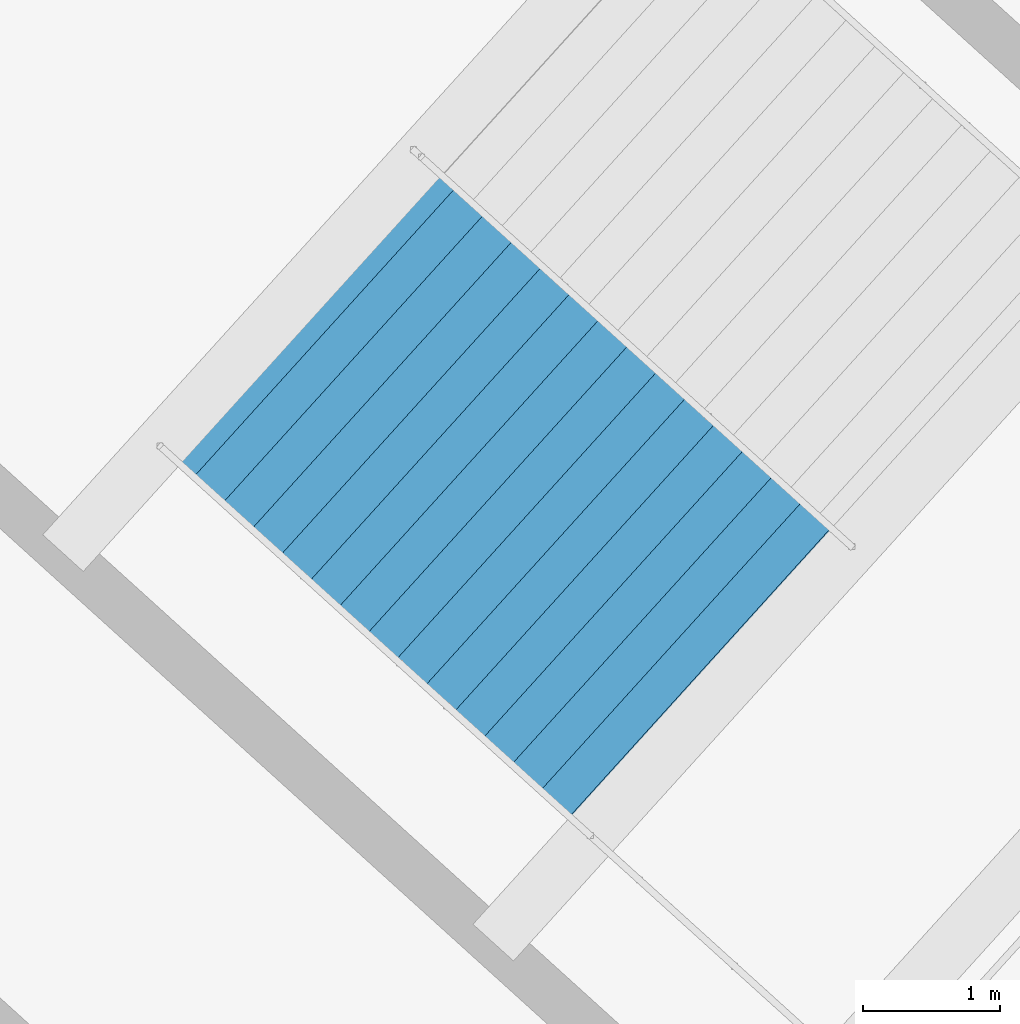
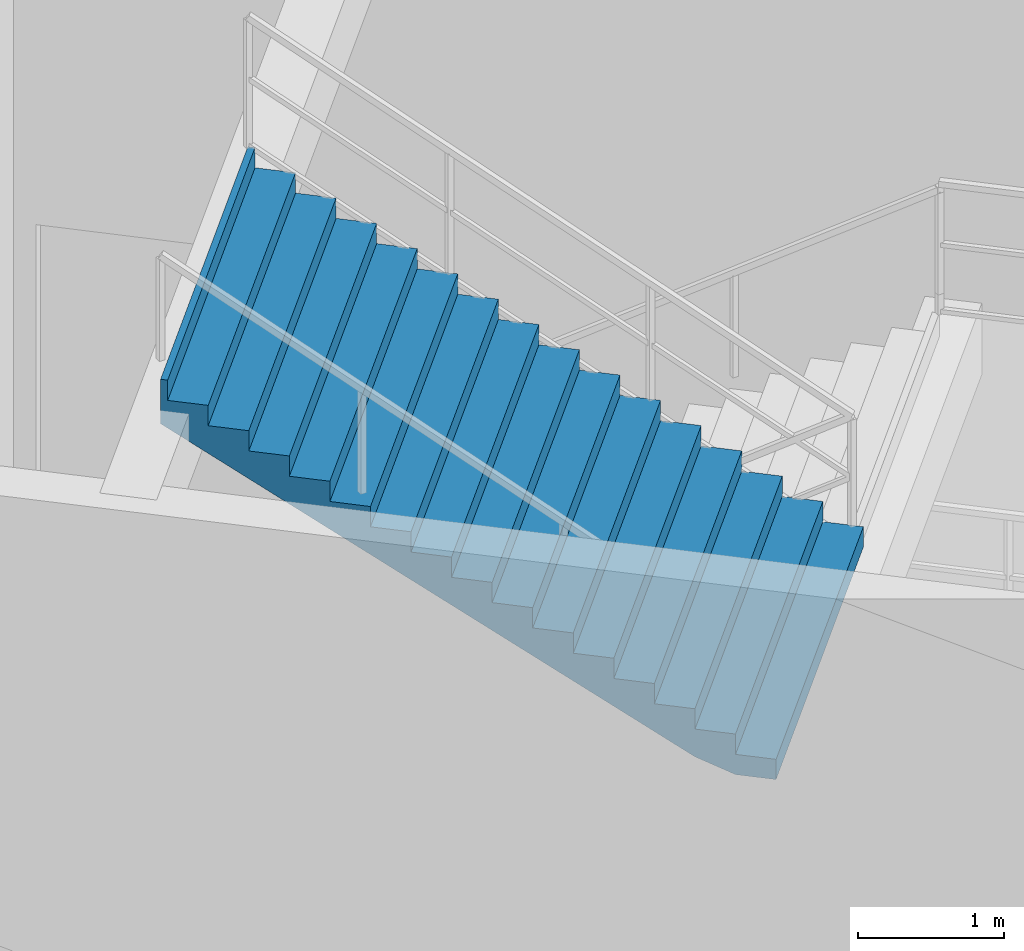
# One storey, part 79 of 103: 1 stair flight, 1 element without a shape of its own.
"""IFC4 building model written with IfcOpenShell, lengths in metres."""

from ifc_helpers import new_model, si_unit, direction, frame, origin, place, context, subcontext, project, spatial, polygons, material, type_object, element, aggregate, save


model = new_model("IFC4")

# Units and contexts
model_context = context("Model", 3, precision=1e-05, world=origin(), true_north=direction((0.0, 1.0)))
body_context = subcontext(model_context, "Body", "Model", "MODEL_VIEW")
ifc_project = project(units=[si_unit("LENGTHUNIT", "METRE"), si_unit("AREAUNIT", "SQUARE_METRE"), si_unit("VOLUMEUNIT", "CUBIC_METRE"), si_unit("PLANEANGLEUNIT", "RADIAN"), si_unit("MASSUNIT", "GRAM", prefix="KILO")], contexts=[model_context])

# Site, building, storey
site_placement = place(None, origin())
site = spatial("IfcSite", under=ifc_project, at=site_placement, CompositionType="ELEMENT")
building_placement = place(site_placement, origin())
building = spatial("IfcBuilding", under=site, at=building_placement, Name="Kazemori Nagisa Stadium", CompositionType="ELEMENT")
storey_placement = place(building_placement, frame((0.0, 0.0, 25.840087890625)))
storey = spatial("IfcBuildingStorey", under=building, at=storey_placement, Name="L05", CompositionType="ELEMENT", Elevation=25.840087890625)

# Stair, stair flight
ifc_material = material(Name="Concrete C36/45 (Fc36)", Category="concrete")
stair_type = type_object("IfcStairType", Name="Stair_CORE_32", PredefinedType="TWO_STRAIGHT_RUN_STAIR", material=ifc_material)
stair_placement = place(storey_placement, origin())
stair = element("IfcStair", 1, at=stair_placement, inside=storey, type_object=stair_type, Name="Exit stair ST03 L05", PredefinedType="TWO_STRAIGHT_RUN_STAIR")
stair_flight_type = type_object("IfcStairFlightType", Name="Flight_CORE_16", PredefinedType="STRAIGHT", material=ifc_material)
stair_flight_placement = place(storey_placement, frame((55.4609375, 42.593994140625, 2.719970703125), z_axis=(0.0, 0.0, 1.0), x_axis=(-0.741357156534, 0.671110696127, 0.0)))
stair_flight = element("IfcStairFlight", 2, at=stair_flight_placement, type_object=stair_flight_type, Name="Exit stair ST03 L05 flight 2", NumberOfRisers=16, NumberOfTreads=15, PredefinedType="STRAIGHT", RiserHeight=0.17, TreadLength=0.285, context=body_context, shape_type="Tessellation", body=[
    polygons([(0.0, -1.425048828125, 0.0), (0.0, -1.425048828125, 0.169921875), (0.284912109375, -1.425048828125, 0.169921875), (0.284912109375, -1.425048828125, 0.340087890625), (0.570068359375, -1.425048828125, 0.340087890625), (0.570068359375, -1.425048828125, 0.510009765625), (0.85498046875, -1.425048828125, 0.510009765625), (0.85498046875, -1.425048828125, 0.679931640625), (1.139892578125, -1.425048828125, 0.679931640625), (1.139892578125, -1.425048828125, 0.85009765625), (1.425048828125, -1.425048828125, 0.85009765625), (1.425048828125, -1.425048828125, 1.02001953125), (1.7099609375, -1.425048828125, 1.02001953125), (1.7099609375, -1.425048828125, 1.18994140625), (1.9951171875, -1.425048828125, 1.18994140625), (1.9951171875, -1.425048828125, 1.360107421875), (2.280029296875, -1.425048828125, 1.360107421875), (2.280029296875, -1.425048828125, 1.530029296875), (2.56494140625, -1.425048828125, 1.530029296875), (2.56494140625, -1.425048828125, 1.699951171875), (2.85009765625, -1.425048828125, 1.699951171875), (2.85009765625, -1.425048828125, 1.8701171875), (3.135009765625, -1.425048828125, 1.8701171875), (3.135009765625, -1.425048828125, 2.0400390625), (3.419921875, -1.425048828125, 2.0400390625), (3.419921875, -1.425048828125, 2.2099609375), (3.705078125, -1.425048828125, 2.2099609375), (3.705078125, -1.425048828125, 2.3798828125), (3.989990234375, -1.425048828125, 2.3798828125), (3.989990234375, -1.425048828125, 2.550048828125), (4.27490234375, -1.425048828125, 2.550048828125), (4.27490234375, -1.425048828125, 2.719970703125), (4.324951171875, -1.425048828125, 2.719970703125), (4.324951171875, -1.425048828125, 2.346923828125), (4.27490234375, -1.425048828125, 2.317138671875), (3.989990234375, -1.425048828125, 2.147216796875), (3.705078125, -1.425048828125, 1.977294921875), (3.419921875, -1.425048828125, 1.80712890625), (3.135009765625, -1.425048828125, 1.63720703125), (2.85009765625, -1.425048828125, 1.46728515625), (2.56494140625, -1.425048828125, 1.297119140625), (2.280029296875, -1.425048828125, 1.127197265625), (1.9951171875, -1.425048828125, 0.957275390625), (1.7099609375, -1.425048828125, 0.787109375), (1.425048828125, -1.425048828125, 0.6171875), (1.139892578125, -1.425048828125, 0.447265625), (0.85498046875, -1.425048828125, 0.277099609375), (0.570068359375, -1.425048828125, 0.107177734375), (0.284912109375, -1.425048828125, 0.0), (0.0, -0.08544921875, 0.0), (0.0, -0.08544921875, 0.169921875), (0.284912109375, -0.08544921875, 0.169921875), (0.284912109375, -0.08544921875, 0.340087890625), (0.570068359375, -0.08544921875, 0.340087890625), (0.570068359375, -0.08544921875, 0.510009765625), (0.85498046875, -0.08544921875, 0.510009765625), (0.85498046875, -0.08544921875, 0.679931640625), (1.139892578125, -0.08544921875, 0.679931640625), (1.139892578125, -0.08544921875, 0.85009765625), (1.425048828125, -0.08544921875, 0.85009765625), (1.425048828125, -0.08544921875, 1.02001953125), (1.7099609375, -0.08544921875, 1.02001953125), (1.7099609375, -0.08544921875, 1.18994140625), (1.9951171875, -0.08544921875, 1.18994140625), (1.9951171875, -0.08544921875, 1.360107421875), (2.280029296875, -0.08544921875, 1.360107421875), (2.280029296875, -0.08544921875, 1.530029296875), (2.56494140625, -0.08544921875, 1.530029296875), (2.56494140625, -0.08544921875, 1.699951171875), (2.85009765625, -0.08544921875, 1.699951171875), (2.85009765625, -0.08544921875, 1.8701171875), (3.135009765625, -0.08544921875, 1.8701171875), (3.135009765625, -0.08544921875, 2.0400390625), (3.419921875, -0.08544921875, 2.0400390625), (3.419921875, -0.08544921875, 2.2099609375), (3.705078125, -0.08544921875, 2.2099609375), (3.705078125, -0.08544921875, 2.3798828125), (3.989990234375, -0.08544921875, 2.3798828125), (3.989990234375, -0.08544921875, 2.550048828125), (4.27490234375, -0.08544921875, 2.550048828125), (4.27490234375, -0.08544921875, 2.719970703125), (4.324951171875, -0.08544921875, 2.719970703125), (4.324951171875, -0.08544921875, 2.346923828125), (4.27490234375, -0.08544921875, 2.317138671875), (3.989990234375, -0.08544921875, 2.147216796875), (3.705078125, -0.08544921875, 1.977294921875), (3.419921875, -0.08544921875, 1.80712890625), (3.135009765625, -0.08544921875, 1.63720703125), (2.85009765625, -0.08544921875, 1.46728515625), (2.56494140625, -0.08544921875, 1.297119140625), (2.280029296875, -0.08544921875, 1.127197265625), (1.9951171875, -0.08544921875, 0.957275390625), (1.7099609375, -0.08544921875, 0.787109375), (1.425048828125, -0.08544921875, 0.6171875), (1.139892578125, -0.08544921875, 0.447265625), (0.85498046875, -0.08544921875, 0.277099609375), (0.570068359375, -0.08544921875, 0.107177734375), (0.284912109375, -0.08544921875, 0.0), (0.0, 0.0, 0.0), (0.0, 0.0, 0.169921875), (0.284912109375, 0.0, 0.169921875), (0.284912109375, 0.0, 0.340087890625), (0.570068359375, 0.0, 0.340087890625), (0.570068359375, 0.0, 0.510009765625), (0.85498046875, 0.0, 0.510009765625), (0.85498046875, 0.0, 0.679931640625), (1.139892578125, 0.0, 0.679931640625), (1.139892578125, 0.0, 0.85009765625), (1.425048828125, 0.0, 0.85009765625), (1.425048828125, 0.0, 1.02001953125), (1.7099609375, 0.0, 1.02001953125), (1.7099609375, 0.0, 1.18994140625), (1.9951171875, 0.0, 1.18994140625), (1.9951171875, 0.0, 1.360107421875), (2.280029296875, 0.0, 1.360107421875), (2.280029296875, 0.0, 1.530029296875), (2.56494140625, 0.0, 1.530029296875), (2.56494140625, 0.0, 1.699951171875), (2.85009765625, 0.0, 1.699951171875), (2.85009765625, 0.0, 1.8701171875), (3.135009765625, 0.0, 1.8701171875), (3.135009765625, 0.0, 2.0400390625), (3.419921875, 0.0, 2.0400390625), (3.419921875, 0.0, 2.2099609375), (3.705078125, 0.0, 2.2099609375), (3.705078125, 0.0, 2.3798828125), (3.989990234375, 0.0, 2.3798828125), (3.989990234375, 0.0, 2.550048828125), (4.27490234375, 0.0, 2.550048828125), (4.27490234375, 0.0, 2.719970703125), (4.324951171875, 0.0, 2.719970703125), (4.324951171875, 0.0, 2.346923828125), (4.27490234375, 0.0, 2.317138671875), (3.989990234375, 0.0, 2.147216796875), (3.705078125, 0.0, 1.977294921875), (3.419921875, 0.0, 1.80712890625), (3.135009765625, 0.0, 1.63720703125), (2.85009765625, 0.0, 1.46728515625), (2.56494140625, 0.0, 1.297119140625), (2.280029296875, 0.0, 1.127197265625), (1.9951171875, 0.0, 0.957275390625), (1.7099609375, 0.0, 0.787109375), (1.425048828125, 0.0, 0.6171875), (1.139892578125, 0.0, 0.447265625), (0.85498046875, 0.0, 0.277099609375), (0.570068359375, 0.0, 0.107177734375), (0.284912109375, 0.0, 0.0), (0.0, 0.08544921875, 0.0), (0.0, 0.08544921875, 0.169921875), (0.284912109375, 0.08544921875, 0.169921875), (0.284912109375, 0.08544921875, 0.340087890625), (0.570068359375, 0.08544921875, 0.340087890625), (0.570068359375, 0.08544921875, 0.510009765625), (0.85498046875, 0.08544921875, 0.510009765625), (0.85498046875, 0.08544921875, 0.679931640625), (1.139892578125, 0.08544921875, 0.679931640625), (1.139892578125, 0.08544921875, 0.85009765625), (1.425048828125, 0.08544921875, 0.85009765625), (1.425048828125, 0.08544921875, 1.02001953125), (1.7099609375, 0.08544921875, 1.02001953125), (1.7099609375, 0.08544921875, 1.18994140625), (1.9951171875, 0.08544921875, 1.18994140625), (1.9951171875, 0.08544921875, 1.360107421875), (2.280029296875, 0.08544921875, 1.360107421875), (2.280029296875, 0.08544921875, 1.530029296875), (2.56494140625, 0.08544921875, 1.530029296875), (2.56494140625, 0.08544921875, 1.699951171875), (2.85009765625, 0.08544921875, 1.699951171875), (2.85009765625, 0.08544921875, 1.8701171875), (3.135009765625, 0.08544921875, 1.8701171875), (3.135009765625, 0.08544921875, 2.0400390625), (3.419921875, 0.08544921875, 2.0400390625), (3.419921875, 0.08544921875, 2.2099609375), (3.705078125, 0.08544921875, 2.2099609375), (3.705078125, 0.08544921875, 2.3798828125), (3.989990234375, 0.08544921875, 2.3798828125), (3.989990234375, 0.08544921875, 2.550048828125), (4.27490234375, 0.08544921875, 2.550048828125), (4.27490234375, 0.08544921875, 2.719970703125), (4.324951171875, 0.08544921875, 2.719970703125), (4.324951171875, 0.08544921875, 2.346923828125), (4.27490234375, 0.08544921875, 2.317138671875), (3.989990234375, 0.08544921875, 2.147216796875), (3.705078125, 0.08544921875, 1.977294921875), (3.419921875, 0.08544921875, 1.80712890625), (3.135009765625, 0.08544921875, 1.63720703125), (2.85009765625, 0.08544921875, 1.46728515625), (2.56494140625, 0.08544921875, 1.297119140625), (2.280029296875, 0.08544921875, 1.127197265625), (1.9951171875, 0.08544921875, 0.957275390625), (1.7099609375, 0.08544921875, 0.787109375), (1.425048828125, 0.08544921875, 0.6171875), (1.139892578125, 0.08544921875, 0.447265625), (0.85498046875, 0.08544921875, 0.277099609375), (0.570068359375, 0.08544921875, 0.107177734375), (0.284912109375, 0.08544921875, 0.0), (0.0, 1.425048828125, 0.0), (0.0, 1.425048828125, 0.169921875), (0.284912109375, 1.425048828125, 0.169921875), (0.284912109375, 1.425048828125, 0.340087890625), (0.570068359375, 1.425048828125, 0.340087890625), (0.570068359375, 1.425048828125, 0.510009765625), (0.85498046875, 1.425048828125, 0.510009765625), (0.85498046875, 1.425048828125, 0.679931640625), (1.139892578125, 1.425048828125, 0.679931640625), (1.139892578125, 1.425048828125, 0.85009765625), (1.425048828125, 1.425048828125, 0.85009765625), (1.425048828125, 1.425048828125, 1.02001953125), (1.7099609375, 1.425048828125, 1.02001953125), (1.7099609375, 1.425048828125, 1.18994140625), (1.9951171875, 1.425048828125, 1.18994140625), (1.9951171875, 1.425048828125, 1.360107421875), (2.280029296875, 1.425048828125, 1.360107421875), (2.280029296875, 1.425048828125, 1.530029296875), (2.56494140625, 1.425048828125, 1.530029296875), (2.56494140625, 1.425048828125, 1.699951171875), (2.85009765625, 1.425048828125, 1.699951171875), (2.85009765625, 1.425048828125, 1.8701171875), (3.135009765625, 1.425048828125, 1.8701171875), (3.135009765625, 1.425048828125, 2.0400390625), (3.419921875, 1.425048828125, 2.0400390625), (3.419921875, 1.425048828125, 2.2099609375), (3.705078125, 1.425048828125, 2.2099609375), (3.705078125, 1.425048828125, 2.3798828125), (3.989990234375, 1.425048828125, 2.3798828125), (3.989990234375, 1.425048828125, 2.550048828125), (4.27490234375, 1.425048828125, 2.550048828125), (4.27490234375, 1.425048828125, 2.719970703125), (4.324951171875, 1.425048828125, 2.719970703125), (4.324951171875, 1.425048828125, 2.346923828125), (4.27490234375, 1.425048828125, 2.317138671875), (3.989990234375, 1.425048828125, 2.147216796875), (3.705078125, 1.425048828125, 1.977294921875), (3.419921875, 1.425048828125, 1.80712890625), (3.135009765625, 1.425048828125, 1.63720703125), (2.85009765625, 1.425048828125, 1.46728515625), (2.56494140625, 1.425048828125, 1.297119140625), (2.280029296875, 1.425048828125, 1.127197265625), (1.9951171875, 1.425048828125, 0.957275390625), (1.7099609375, 1.425048828125, 0.787109375), (1.425048828125, 1.425048828125, 0.6171875), (1.139892578125, 1.425048828125, 0.447265625), (0.85498046875, 1.425048828125, 0.277099609375), (0.570068359375, 1.425048828125, 0.107177734375), (0.284912109375, 1.425048828125, 0.0)], [[[1, 2, 51]], [[1, 51, 50]], [[2, 3, 52]], [[2, 52, 51]], [[3, 4, 53]], [[3, 53, 52]], [[4, 5, 54]], [[4, 54, 53]], [[5, 6, 55]], [[5, 55, 54]], [[6, 7, 56]], [[6, 56, 55]], [[7, 8, 57]], [[7, 57, 56]], [[8, 9, 58]], [[8, 58, 57]], [[9, 10, 59]], [[9, 59, 58]], [[10, 11, 60]], [[10, 60, 59]], [[11, 12, 61]], [[11, 61, 60]], [[12, 13, 62]], [[12, 62, 61]], [[13, 14, 63]], [[13, 63, 62]], [[14, 15, 64]], [[14, 64, 63]], [[15, 16, 65]], [[15, 65, 64]], [[16, 17, 66]], [[16, 66, 65]], [[17, 18, 67]], [[17, 67, 66]], [[18, 19, 68]], [[18, 68, 67]], [[19, 20, 69]], [[19, 69, 68]], [[20, 21, 70]], [[20, 70, 69]], [[21, 22, 71]], [[21, 71, 70]], [[22, 23, 72]], [[22, 72, 71]], [[23, 24, 73]], [[23, 73, 72]], [[24, 25, 74]], [[24, 74, 73]], [[25, 26, 75]], [[25, 75, 74]], [[26, 27, 76]], [[26, 76, 75]], [[27, 28, 77]], [[27, 77, 76]], [[28, 29, 78]], [[28, 78, 77]], [[29, 30, 79]], [[29, 79, 78]], [[30, 31, 80]], [[30, 80, 79]], [[31, 32, 81]], [[31, 81, 80]], [[32, 33, 82]], [[32, 82, 81]], [[33, 34, 83]], [[33, 83, 82]], [[34, 35, 84]], [[34, 84, 83]], [[35, 36, 85]], [[35, 85, 84]], [[36, 37, 86]], [[36, 86, 85]], [[37, 38, 87]], [[37, 87, 86]], [[38, 39, 88]], [[38, 88, 87]], [[39, 40, 89]], [[39, 89, 88]], [[40, 41, 90]], [[40, 90, 89]], [[41, 42, 91]], [[41, 91, 90]], [[42, 43, 92]], [[42, 92, 91]], [[43, 44, 93]], [[43, 93, 92]], [[44, 45, 94]], [[44, 94, 93]], [[45, 46, 95]], [[45, 95, 94]], [[46, 47, 96]], [[46, 96, 95]], [[47, 48, 97]], [[47, 97, 96]], [[48, 49, 98]], [[48, 98, 97]], [[49, 1, 50]], [[49, 50, 98]], [[50, 51, 100]], [[50, 100, 99]], [[51, 52, 101]], [[51, 101, 100]], [[52, 53, 102]], [[52, 102, 101]], [[53, 54, 103]], [[53, 103, 102]], [[54, 55, 104]], [[54, 104, 103]], [[55, 56, 105]], [[55, 105, 104]], [[56, 57, 106]], [[56, 106, 105]], [[57, 58, 107]], [[57, 107, 106]], [[58, 59, 108]], [[58, 108, 107]], [[59, 60, 109]], [[59, 109, 108]], [[60, 61, 110]], [[60, 110, 109]], [[61, 62, 111]], [[61, 111, 110]], [[62, 63, 112]], [[62, 112, 111]], [[63, 64, 113]], [[63, 113, 112]], [[64, 65, 114]], [[64, 114, 113]], [[65, 66, 115]], [[65, 115, 114]], [[66, 67, 116]], [[66, 116, 115]], [[67, 68, 117]], [[67, 117, 116]], [[68, 69, 118]], [[68, 118, 117]], [[69, 70, 119]], [[69, 119, 118]], [[70, 71, 120]], [[70, 120, 119]], [[71, 72, 121]], [[71, 121, 120]], [[72, 73, 122]], [[72, 122, 121]], [[73, 74, 123]], [[73, 123, 122]], [[74, 75, 124]], [[74, 124, 123]], [[75, 76, 125]], [[75, 125, 124]], [[76, 77, 126]], [[76, 126, 125]], [[77, 78, 127]], [[77, 127, 126]], [[78, 79, 128]], [[78, 128, 127]], [[79, 80, 129]], [[79, 129, 128]], [[80, 81, 130]], [[80, 130, 129]], [[81, 82, 131]], [[81, 131, 130]], [[82, 83, 132]], [[82, 132, 131]], [[83, 84, 133]], [[83, 133, 132]], [[84, 85, 134]], [[84, 134, 133]], [[85, 86, 135]], [[85, 135, 134]], [[86, 87, 136]], [[86, 136, 135]], [[87, 88, 137]], [[87, 137, 136]], [[88, 89, 138]], [[88, 138, 137]], [[89, 90, 139]], [[89, 139, 138]], [[90, 91, 140]], [[90, 140, 139]], [[91, 92, 141]], [[91, 141, 140]], [[92, 93, 142]], [[92, 142, 141]], [[93, 94, 143]], [[93, 143, 142]], [[94, 95, 144]], [[94, 144, 143]], [[95, 96, 145]], [[95, 145, 144]], [[96, 97, 146]], [[96, 146, 145]], [[97, 98, 147]], [[97, 147, 146]], [[98, 50, 99]], [[98, 99, 147]], [[99, 100, 149]], [[99, 149, 148]], [[100, 101, 150]], [[100, 150, 149]], [[101, 102, 151]], [[101, 151, 150]], [[102, 103, 152]], [[102, 152, 151]], [[103, 104, 153]], [[103, 153, 152]], [[104, 105, 154]], [[104, 154, 153]], [[105, 106, 155]], [[105, 155, 154]], [[106, 107, 156]], [[106, 156, 155]], [[107, 108, 157]], [[107, 157, 156]], [[108, 109, 158]], [[108, 158, 157]], [[109, 110, 159]], [[109, 159, 158]], [[110, 111, 160]], [[110, 160, 159]], [[111, 112, 161]], [[111, 161, 160]], [[112, 113, 162]], [[112, 162, 161]], [[113, 114, 163]], [[113, 163, 162]], [[114, 115, 164]], [[114, 164, 163]], [[115, 116, 165]], [[115, 165, 164]], [[116, 117, 166]], [[116, 166, 165]], [[117, 118, 167]], [[117, 167, 166]], [[118, 119, 168]], [[118, 168, 167]], [[119, 120, 169]], [[119, 169, 168]], [[120, 121, 170]], [[120, 170, 169]], [[121, 122, 171]], [[121, 171, 170]], [[122, 123, 172]], [[122, 172, 171]], [[123, 124, 173]], [[123, 173, 172]], [[124, 125, 174]], [[124, 174, 173]], [[125, 126, 175]], [[125, 175, 174]], [[126, 127, 176]], [[126, 176, 175]], [[127, 128, 177]], [[127, 177, 176]], [[128, 129, 178]], [[128, 178, 177]], [[129, 130, 179]], [[129, 179, 178]], [[130, 131, 180]], [[130, 180, 179]], [[131, 132, 181]], [[131, 181, 180]], [[132, 133, 182]], [[132, 182, 181]], [[133, 134, 183]], [[133, 183, 182]], [[134, 135, 184]], [[134, 184, 183]], [[135, 136, 185]], [[135, 185, 184]], [[136, 137, 186]], [[136, 186, 185]], [[137, 138, 187]], [[137, 187, 186]], [[138, 139, 188]], [[138, 188, 187]], [[139, 140, 189]], [[139, 189, 188]], [[140, 141, 190]], [[140, 190, 189]], [[141, 142, 191]], [[141, 191, 190]], [[142, 143, 192]], [[142, 192, 191]], [[143, 144, 193]], [[143, 193, 192]], [[144, 145, 194]], [[144, 194, 193]], [[145, 146, 195]], [[145, 195, 194]], [[146, 147, 196]], [[146, 196, 195]], [[147, 99, 148]], [[147, 148, 196]], [[148, 149, 198]], [[148, 198, 197]], [[149, 150, 199]], [[149, 199, 198]], [[150, 151, 200]], [[150, 200, 199]], [[151, 152, 201]], [[151, 201, 200]], [[152, 153, 202]], [[152, 202, 201]], [[153, 154, 203]], [[153, 203, 202]], [[154, 155, 204]], [[154, 204, 203]], [[155, 156, 205]], [[155, 205, 204]], [[156, 157, 206]], [[156, 206, 205]], [[157, 158, 207]], [[157, 207, 206]], [[158, 159, 208]], [[158, 208, 207]], [[159, 160, 209]], [[159, 209, 208]], [[160, 161, 210]], [[160, 210, 209]], [[161, 162, 211]], [[161, 211, 210]], [[162, 163, 212]], [[162, 212, 211]], [[163, 164, 213]], [[163, 213, 212]], [[164, 165, 214]], [[164, 214, 213]], [[165, 166, 215]], [[165, 215, 214]], [[166, 167, 216]], [[166, 216, 215]], [[167, 168, 217]], [[167, 217, 216]], [[168, 169, 218]], [[168, 218, 217]], [[169, 170, 219]], [[169, 219, 218]], [[170, 171, 220]], [[170, 220, 219]], [[171, 172, 221]], [[171, 221, 220]], [[172, 173, 222]], [[172, 222, 221]], [[173, 174, 223]], [[173, 223, 222]], [[174, 175, 224]], [[174, 224, 223]], [[175, 176, 225]], [[175, 225, 224]], [[176, 177, 226]], [[176, 226, 225]], [[177, 178, 227]], [[177, 227, 226]], [[178, 179, 228]], [[178, 228, 227]], [[179, 180, 229]], [[179, 229, 228]], [[180, 181, 230]], [[180, 230, 229]], [[181, 182, 231]], [[181, 231, 230]], [[182, 183, 232]], [[182, 232, 231]], [[183, 184, 233]], [[183, 233, 232]], [[184, 185, 234]], [[184, 234, 233]], [[185, 186, 235]], [[185, 235, 234]], [[186, 187, 236]], [[186, 236, 235]], [[187, 188, 237]], [[187, 237, 236]], [[188, 189, 238]], [[188, 238, 237]], [[189, 190, 239]], [[189, 239, 238]], [[190, 191, 240]], [[190, 240, 239]], [[191, 192, 241]], [[191, 241, 240]], [[192, 193, 242]], [[192, 242, 241]], [[193, 194, 243]], [[193, 243, 242]], [[194, 195, 244]], [[194, 244, 243]], [[195, 196, 245]], [[195, 245, 244]], [[196, 148, 197]], [[196, 197, 245]], [[3, 2, 1]], [[197, 198, 199]], [[49, 3, 1]], [[197, 199, 245]], [[48, 3, 49]], [[245, 199, 244]], [[5, 3, 48]], [[244, 199, 201]], [[5, 4, 3]], [[199, 200, 201]], [[47, 5, 48]], [[244, 201, 243]], [[7, 5, 47]], [[243, 201, 203]], [[7, 6, 5]], [[201, 202, 203]], [[46, 7, 47]], [[243, 203, 242]], [[9, 7, 46]], [[242, 203, 205]], [[9, 8, 7]], [[203, 204, 205]], [[45, 9, 46]], [[242, 205, 241]], [[11, 9, 45]], [[241, 205, 207]], [[11, 10, 9]], [[205, 206, 207]], [[44, 11, 45]], [[241, 207, 240]], [[13, 11, 44]], [[240, 207, 209]], [[13, 12, 11]], [[207, 208, 209]], [[43, 13, 44]], [[240, 209, 239]], [[15, 13, 43]], [[239, 209, 211]], [[15, 14, 13]], [[209, 210, 211]], [[42, 15, 43]], [[239, 211, 238]], [[17, 15, 42]], [[238, 211, 213]], [[17, 16, 15]], [[211, 212, 213]], [[41, 17, 42]], [[238, 213, 237]], [[19, 17, 41]], [[237, 213, 215]], [[19, 18, 17]], [[213, 214, 215]], [[40, 19, 41]], [[237, 215, 236]], [[21, 19, 40]], [[236, 215, 217]], [[21, 20, 19]], [[215, 216, 217]], [[39, 21, 40]], [[236, 217, 235]], [[23, 21, 39]], [[235, 217, 219]], [[23, 22, 21]], [[217, 218, 219]], [[38, 23, 39]], [[235, 219, 234]], [[25, 23, 38]], [[234, 219, 221]], [[25, 24, 23]], [[219, 220, 221]], [[37, 25, 38]], [[234, 221, 233]], [[27, 25, 37]], [[233, 221, 223]], [[27, 26, 25]], [[221, 222, 223]], [[36, 27, 37]], [[233, 223, 232]], [[29, 27, 36]], [[232, 223, 225]], [[29, 28, 27]], [[223, 224, 225]], [[35, 29, 36]], [[232, 225, 231]], [[31, 29, 35]], [[231, 225, 227]], [[31, 30, 29]], [[225, 226, 227]], [[34, 31, 35]], [[231, 227, 230]], [[33, 31, 34]], [[230, 227, 229]], [[33, 32, 31]], [[227, 228, 229]]], closed=True),
])
aggregate(stair, [stair_flight])

save(model, "model.ifc")
